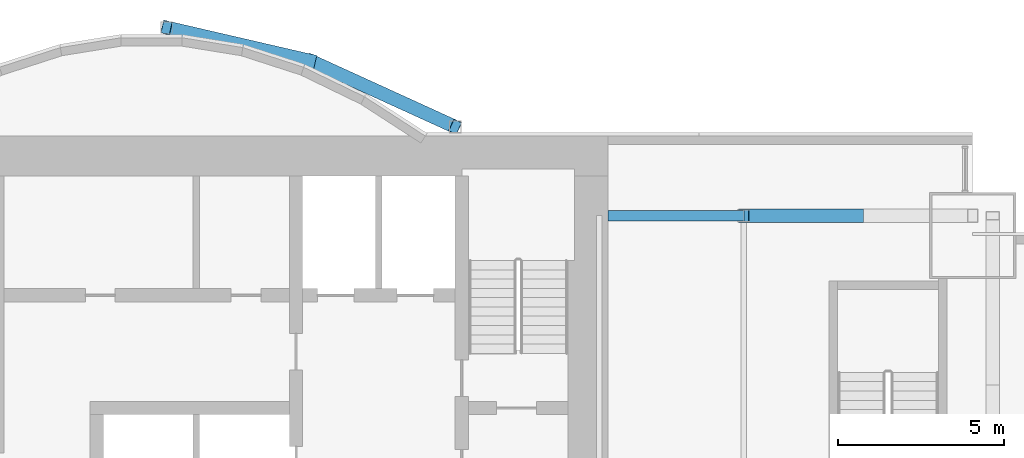
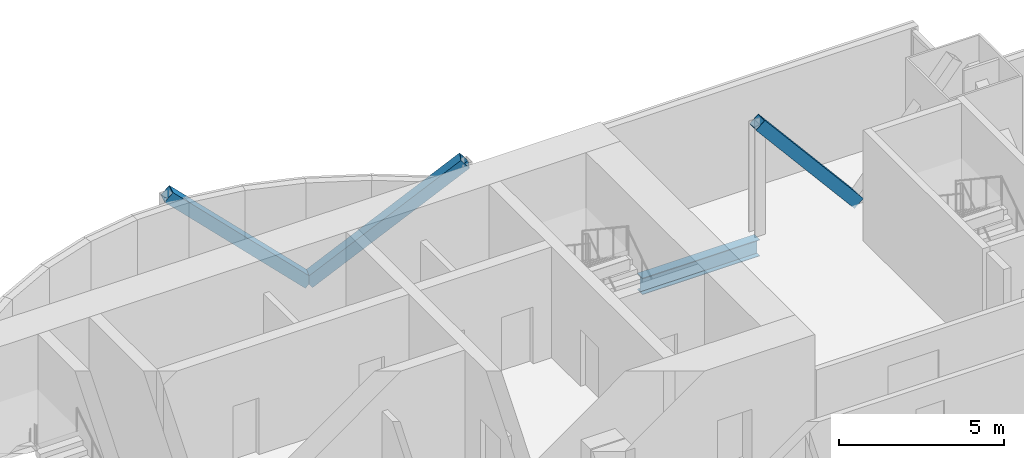
# One storey, part 11 of 20: 3 members, 1 beam.
"""IFC4 building model written with IfcOpenShell, lengths in metres."""

from ifc_helpers import new_model, si_unit, direction, frame, origin, origin_2d, place, context, subcontext, project, spatial, hollow_rectangle, i_section, extrude, material, material_profile, profile_set, type_object, element, save


model = new_model("IFC4")

# Units and contexts
model_context = context("Model", 3, precision=1e-05, world=origin(), true_north=direction((0.0, 1.0)))
body_context = subcontext(model_context, "Body", "Model", "MODEL_VIEW")
ifc_project = project(units=[si_unit("LENGTHUNIT", "METRE"), si_unit("AREAUNIT", "SQUARE_METRE"), si_unit("VOLUMEUNIT", "CUBIC_METRE"), si_unit("PLANEANGLEUNIT", "RADIAN"), si_unit("MASSUNIT", "GRAM", prefix="KILO")], contexts=[model_context])

# Site, building, storey
site_placement = place(None, origin())
site = spatial("IfcSite", under=ifc_project, at=site_placement, CompositionType="ELEMENT")
building_placement = place(site_placement, origin())
building = spatial("IfcBuilding", under=site, at=building_placement, Name="Bicima Exchange Tower", CompositionType="ELEMENT")
storey_placement = place(building_placement, frame((0.0, 0.0, 215.5)))
storey = spatial("IfcBuildingStorey", under=building, at=storey_placement, Name="L48", CompositionType="ELEMENT", Elevation=215.5)

# Members
ifc_material_1 = material(Name="Steel ASTM A572 Gr 50", Category="steel")
ifc_material_profile_1 = material_profile(ifc_material_1, hollow_rectangle(XDim=0.406494140625, YDim=0.406494140625, WallThickness=0.0146484375, at=origin_2d()))
ifc_profile_set_1 = profile_set([ifc_material_profile_1], Name="Steel ASTM A572 Gr 50")
member_type = type_object("IfcMemberType", Name="Mega brace HSS16x16x5/8", PredefinedType="BRACE", material=ifc_profile_set_1)
member_1_placement = place(storey_placement, frame((13.050048828125, 2.262451171875, 0.0), z_axis=(0.690628963585, -0.315060460011, 0.650975069565), x_axis=(0.415045223819, 0.909800781592, 0.0)))
element("IfcMember", 1, at=member_1_placement, inside=storey, type_object=member_type, Name="Mega brace rexo", PredefinedType="BRACE", context=body_context, shape_type="SweptSolid", body=[
    extrude(hollow_rectangle(XDim=0.406494140625, YDim=0.406494140625, WallThickness=0.0146484375, at=origin_2d()), origin(), (0.0, 0.0, 1.0), 6.29833984375),
])
member_2_placement = place(storey_placement, frame((13.050048828125, 2.262451171875, 0.0), z_axis=(-0.717605620354, 0.166050509188, 0.676364843878), x_axis=(-0.225438503722, -0.974257399787, 0.0)))
element("IfcMember", 2, at=member_2_placement, inside=storey, type_object=member_type, Name="Mega brace rexo", PredefinedType="BRACE", context=body_context, shape_type="SweptSolid", body=[
    extrude(hollow_rectangle(XDim=0.406494140625, YDim=0.406494140625, WallThickness=0.0146484375, at=origin_2d()), origin(), (0.0, 0.0, 1.0), 6.06201171875),
])
member_3_placement = place(storey_placement, frame((29.550048828125, -2.39990234375, 0.0), z_axis=(-0.643834042494, 0.0, 0.765165162384), x_axis=(0.0, -1.0, 0.0)))
element("IfcMember", 3, at=member_3_placement, inside=storey, type_object=member_type, Name="Mega brace rear", PredefinedType="BRACE", context=body_context, shape_type="SweptSolid", body=[
    extrude(hollow_rectangle(XDim=0.406494140625, YDim=0.406494140625, WallThickness=0.0146484375, at=origin_2d()), origin(), (0.0, 0.0, 1.0), 5.3583984375),
])

# Beam
ifc_material_2 = material(Name="Steel ASTM A992 Gr 50", Category="steel")
ifc_material_profile_2 = material_profile(ifc_material_2, i_section(OverallWidth=0.3251953125, OverallDepth=0.612060546875, WebThickness=0.0126953125, FlangeThickness=0.01904296875, at=origin_2d()))
ifc_profile_set_2 = profile_set([ifc_material_profile_2], Name="Steel ASTM A992 Gr 50")
beam_type = type_object("IfcBeamType", Name="Rear girder W24x104", PredefinedType="BEAM", material=ifc_profile_set_2)
beam_placement = place(storey_placement, frame((22.0, -2.39990234375, -0.4560546875), z_axis=(1.0, 0.0, 0.0), x_axis=(0.0, 1.0, 0.0)))
element("IfcBeam", 4, at=beam_placement, inside=storey, type_object=beam_type, Name="Rear girder", PredefinedType="BEAM", context=body_context, shape_type="SweptSolid", body=[
    extrude(i_section(OverallWidth=0.3251953125, OverallDepth=0.612060546875, WebThickness=0.0126953125, FlangeThickness=0.01904296875, at=origin_2d()), origin(), (0.0, 0.0, 1.0), 4.10009765625),
])

save(model, "model.ifc")
